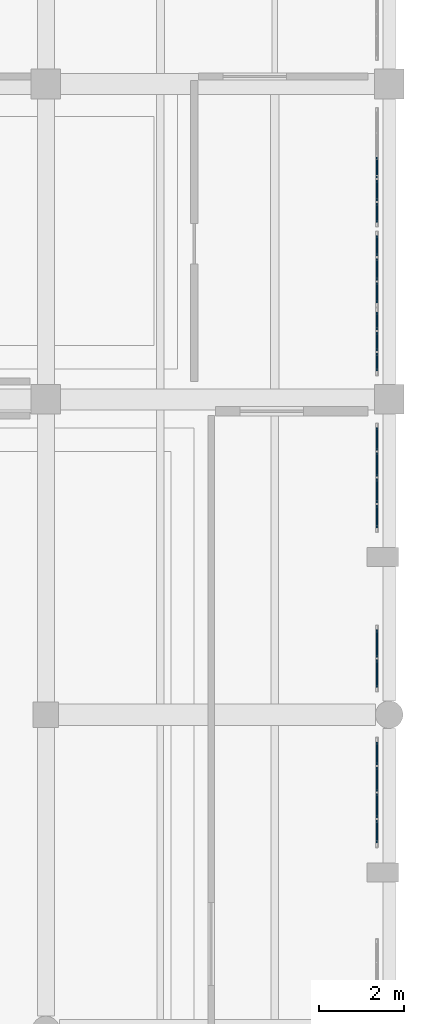
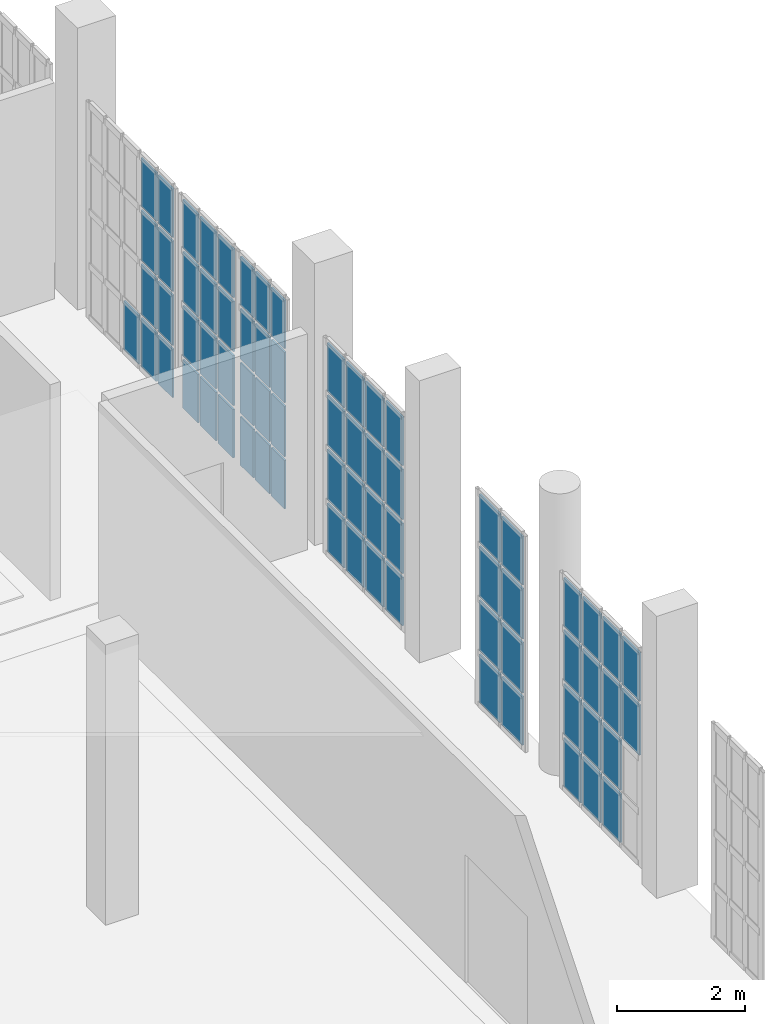
# One storey, part 343 of 372: 71 plates, 6 elements without a shape of their own.
"""IFC4 building model written with IfcOpenShell, lengths in metres."""

from ifc_helpers import new_model, si_unit, direction, frame, origin, origin_2d, place, context, subcontext, project, spatial, rectangle, extrude, material, layer, layer_set, type_object, element, aggregate, save


model = new_model("IFC4")

# Units and contexts
model_context = context("Model", 3, precision=1e-05, world=origin(), true_north=direction((0.0, 1.0)))
body_context = subcontext(model_context, "Body", "Model", "MODEL_VIEW")
ifc_project = project(units=[si_unit("LENGTHUNIT", "METRE"), si_unit("AREAUNIT", "SQUARE_METRE"), si_unit("VOLUMEUNIT", "CUBIC_METRE"), si_unit("PLANEANGLEUNIT", "RADIAN"), si_unit("MASSUNIT", "GRAM", prefix="KILO")], contexts=[model_context])

# Site, building, storey
site_placement = place(None, origin())
site = spatial("IfcSite", under=ifc_project, at=site_placement, CompositionType="ELEMENT")
building_placement = place(site_placement, origin())
building = spatial("IfcBuilding", under=site, at=building_placement, Name="Kaelora Sail Theatre", CompositionType="ELEMENT")
storey_placement = place(building_placement, origin())
storey = spatial("IfcBuildingStorey", under=building, at=storey_placement, Name="L00", CompositionType="ELEMENT", Elevation=0.0)

# Curtain wall, plates
ifc_material_1 = material(Name="Anodised aluminium and solar-control low-E IGU", Category="aluminium")
curtain_wall_type = type_object("IfcCurtainWallType", Name="ARC-CW-CW-FOY1", PredefinedType="NOTDEFINED", material=ifc_material_1)
curtain_wall_1_placement = place(storey_placement, origin())
curtain_wall_1 = element("IfcCurtainWall", 1, at=curtain_wall_1_placement, inside=storey, type_object=curtain_wall_type, Name="Glazed Colonnade/Courtyard Curtain Wall COLE-E-L00-06", PredefinedType="NOTDEFINED")
ifc_material_2 = material(Name="Solar-control laminated low-E glass", Category="glass")
ifc_layer = layer(ifc_material_2, 0.031982421875)
ifc_layer_set = layer_set([ifc_layer], Name="Solar-control laminated low-E glass")
plate_type = type_object("IfcPlateType", Name="ARC-CW-PNL", PredefinedType="CURTAIN_PANEL", material=ifc_layer_set)
plate_1_placement = place(storey_placement, frame((163.2099609375, 43.382568359375, 2.103515625), z_axis=(0.0, 0.0, 1.0), x_axis=(0.0, 1.0, 0.0)))
plate_1 = element("IfcPlate", 2, at=plate_1_placement, type_object=plate_type, Name="CW-FOY1 panel 1.3", PredefinedType="CURTAIN_PANEL", context=body_context, shape_type="SweptSolid", body=[
    extrude(rectangle(XDim=0.534912109375, YDim=0.031982421875, at=origin_2d()), origin(), (0.0, 0.0, 1.0), 0.964111328125),
])
plate_2_placement = place(storey_placement, frame((163.2099609375, 43.382568359375, 3.1376953125), z_axis=(0.0, 0.0, 1.0), x_axis=(0.0, 1.0, 0.0)))
plate_2 = element("IfcPlate", 3, at=plate_2_placement, type_object=plate_type, Name="CW-FOY1 panel 1.4", PredefinedType="CURTAIN_PANEL", context=body_context, shape_type="SweptSolid", body=[
    extrude(rectangle(XDim=0.534912109375, YDim=0.031982421875, at=origin_2d()), origin(), (0.0, 0.0, 1.0), 0.92919921875),
])
plate_3_placement = place(storey_placement, frame((163.2099609375, 43.992431640625, 0.070068359375), z_axis=(0.0, 0.0, 1.0), x_axis=(0.0, 1.0, 0.0)))
plate_3 = element("IfcPlate", 4, at=plate_3_placement, type_object=plate_type, Name="CW-FOY1 panel 2.1", PredefinedType="CURTAIN_PANEL", context=body_context, shape_type="SweptSolid", body=[
    extrude(rectangle(XDim=0.56494140625, YDim=0.031982421875, at=origin_2d()), origin(), (0.0, 0.0, 1.0), 0.92919921875),
])
plate_4_placement = place(storey_placement, frame((163.2099609375, 43.992431640625, 1.069091796875), z_axis=(0.0, 0.0, 1.0), x_axis=(0.0, 1.0, 0.0)))
plate_4 = element("IfcPlate", 5, at=plate_4_placement, type_object=plate_type, Name="CW-FOY1 panel 2.2", PredefinedType="CURTAIN_PANEL", context=body_context, shape_type="SweptSolid", body=[
    extrude(rectangle(XDim=0.56494140625, YDim=0.031982421875, at=origin_2d()), origin(), (0.0, 0.0, 1.0), 0.96435546875),
])
plate_5_placement = place(storey_placement, frame((163.2099609375, 43.992431640625, 2.103515625), z_axis=(0.0, 0.0, 1.0), x_axis=(0.0, 1.0, 0.0)))
plate_5 = element("IfcPlate", 6, at=plate_5_placement, type_object=plate_type, Name="CW-FOY1 panel 2.3", PredefinedType="CURTAIN_PANEL", context=body_context, shape_type="SweptSolid", body=[
    extrude(rectangle(XDim=0.56494140625, YDim=0.031982421875, at=origin_2d()), origin(), (0.0, 0.0, 1.0), 0.964111328125),
])
plate_6_placement = place(storey_placement, frame((163.2099609375, 43.992431640625, 3.1376953125), z_axis=(0.0, 0.0, 1.0), x_axis=(0.0, 1.0, 0.0)))
plate_6 = element("IfcPlate", 7, at=plate_6_placement, type_object=plate_type, Name="CW-FOY1 panel 2.4", PredefinedType="CURTAIN_PANEL", context=body_context, shape_type="SweptSolid", body=[
    extrude(rectangle(XDim=0.56494140625, YDim=0.031982421875, at=origin_2d()), origin(), (0.0, 0.0, 1.0), 0.92919921875),
])
plate_7_placement = place(storey_placement, frame((163.2099609375, 44.617431640625, 0.070068359375), z_axis=(0.0, 0.0, 1.0), x_axis=(0.0, 1.0, 0.0)))
plate_7 = element("IfcPlate", 8, at=plate_7_placement, type_object=plate_type, Name="CW-FOY1 panel 3.1", PredefinedType="CURTAIN_PANEL", context=body_context, shape_type="SweptSolid", body=[
    extrude(rectangle(XDim=0.56494140625, YDim=0.031982421875, at=origin_2d()), origin(), (0.0, 0.0, 1.0), 0.92919921875),
])
plate_8_placement = place(storey_placement, frame((163.2099609375, 44.617431640625, 1.069091796875), z_axis=(0.0, 0.0, 1.0), x_axis=(0.0, 1.0, 0.0)))
plate_8 = element("IfcPlate", 9, at=plate_8_placement, type_object=plate_type, Name="CW-FOY1 panel 3.2", PredefinedType="CURTAIN_PANEL", context=body_context, shape_type="SweptSolid", body=[
    extrude(rectangle(XDim=0.56494140625, YDim=0.031982421875, at=origin_2d()), origin(), (0.0, 0.0, 1.0), 0.96435546875),
])
plate_9_placement = place(storey_placement, frame((163.2099609375, 44.617431640625, 2.103515625), z_axis=(0.0, 0.0, 1.0), x_axis=(0.0, 1.0, 0.0)))
plate_9 = element("IfcPlate", 10, at=plate_9_placement, type_object=plate_type, Name="CW-FOY1 panel 3.3", PredefinedType="CURTAIN_PANEL", context=body_context, shape_type="SweptSolid", body=[
    extrude(rectangle(XDim=0.56494140625, YDim=0.031982421875, at=origin_2d()), origin(), (0.0, 0.0, 1.0), 0.964111328125),
])
plate_10_placement = place(storey_placement, frame((163.2099609375, 44.617431640625, 3.1376953125), z_axis=(0.0, 0.0, 1.0), x_axis=(0.0, 1.0, 0.0)))
plate_10 = element("IfcPlate", 11, at=plate_10_placement, type_object=plate_type, Name="CW-FOY1 panel 3.4", PredefinedType="CURTAIN_PANEL", context=body_context, shape_type="SweptSolid", body=[
    extrude(rectangle(XDim=0.56494140625, YDim=0.031982421875, at=origin_2d()), origin(), (0.0, 0.0, 1.0), 0.92919921875),
])
plate_11_placement = place(storey_placement, frame((163.2099609375, 45.2275390625, 0.070068359375), z_axis=(0.0, 0.0, 1.0), x_axis=(0.0, 1.0, 0.0)))
plate_11 = element("IfcPlate", 12, at=plate_11_placement, type_object=plate_type, Name="CW-FOY1 panel 4.1", PredefinedType="CURTAIN_PANEL", context=body_context, shape_type="SweptSolid", body=[
    extrude(rectangle(XDim=0.534912109375, YDim=0.031982421875, at=origin_2d()), origin(), (0.0, 0.0, 1.0), 0.92919921875),
])
plate_12_placement = place(storey_placement, frame((163.2099609375, 45.2275390625, 1.069091796875), z_axis=(0.0, 0.0, 1.0), x_axis=(0.0, 1.0, 0.0)))
plate_12 = element("IfcPlate", 13, at=plate_12_placement, type_object=plate_type, Name="CW-FOY1 panel 4.2", PredefinedType="CURTAIN_PANEL", context=body_context, shape_type="SweptSolid", body=[
    extrude(rectangle(XDim=0.534912109375, YDim=0.031982421875, at=origin_2d()), origin(), (0.0, 0.0, 1.0), 0.96435546875),
])
plate_13_placement = place(storey_placement, frame((163.2099609375, 45.2275390625, 2.103515625), z_axis=(0.0, 0.0, 1.0), x_axis=(0.0, 1.0, 0.0)))
plate_13 = element("IfcPlate", 14, at=plate_13_placement, type_object=plate_type, Name="CW-FOY1 panel 4.3", PredefinedType="CURTAIN_PANEL", context=body_context, shape_type="SweptSolid", body=[
    extrude(rectangle(XDim=0.534912109375, YDim=0.031982421875, at=origin_2d()), origin(), (0.0, 0.0, 1.0), 0.964111328125),
])
plate_14_placement = place(storey_placement, frame((163.2099609375, 45.2275390625, 3.1376953125), z_axis=(0.0, 0.0, 1.0), x_axis=(0.0, 1.0, 0.0)))
plate_14 = element("IfcPlate", 15, at=plate_14_placement, type_object=plate_type, Name="CW-FOY1 panel 4.4", PredefinedType="CURTAIN_PANEL", context=body_context, shape_type="SweptSolid", body=[
    extrude(rectangle(XDim=0.534912109375, YDim=0.031982421875, at=origin_2d()), origin(), (0.0, 0.0, 1.0), 0.92919921875),
])
aggregate(curtain_wall_1, [plate_1, plate_2, plate_3, plate_4, plate_5, plate_6, plate_7, plate_8, plate_9, plate_10, plate_11, plate_12, plate_13, plate_14])

curtain_wall_2_placement = place(storey_placement, origin())
curtain_wall_2 = element("IfcCurtainWall", 16, at=curtain_wall_2_placement, inside=storey, type_object=curtain_wall_type, Name="Glazed Colonnade/Courtyard Curtain Wall COLE-E-L00-07", PredefinedType="NOTDEFINED")
plate_15_placement = place(storey_placement, frame((163.2099609375, 47.108642578125, 0.070068359375), z_axis=(0.0, 0.0, 1.0), x_axis=(0.0, 1.0, 0.0)))
plate_15 = element("IfcPlate", 17, at=plate_15_placement, type_object=plate_type, Name="CW-FOY1 panel 1.1", PredefinedType="CURTAIN_PANEL", context=body_context, shape_type="SweptSolid", body=[
    extrude(rectangle(XDim=0.6474609375, YDim=0.031982421875, at=origin_2d()), origin(), (0.0, 0.0, 1.0), 0.92919921875),
])
plate_16_placement = place(storey_placement, frame((163.2099609375, 47.108642578125, 1.069091796875), z_axis=(0.0, 0.0, 1.0), x_axis=(0.0, 1.0, 0.0)))
plate_16 = element("IfcPlate", 18, at=plate_16_placement, type_object=plate_type, Name="CW-FOY1 panel 1.2", PredefinedType="CURTAIN_PANEL", context=body_context, shape_type="SweptSolid", body=[
    extrude(rectangle(XDim=0.6474609375, YDim=0.031982421875, at=origin_2d()), origin(), (0.0, 0.0, 1.0), 0.96435546875),
])
plate_17_placement = place(storey_placement, frame((163.2099609375, 47.108642578125, 2.103515625), z_axis=(0.0, 0.0, 1.0), x_axis=(0.0, 1.0, 0.0)))
plate_17 = element("IfcPlate", 19, at=plate_17_placement, type_object=plate_type, Name="CW-FOY1 panel 1.3", PredefinedType="CURTAIN_PANEL", context=body_context, shape_type="SweptSolid", body=[
    extrude(rectangle(XDim=0.6474609375, YDim=0.031982421875, at=origin_2d()), origin(), (0.0, 0.0, 1.0), 0.964111328125),
])
plate_18_placement = place(storey_placement, frame((163.2099609375, 47.108642578125, 3.1376953125), z_axis=(0.0, 0.0, 1.0), x_axis=(0.0, 1.0, 0.0)))
plate_18 = element("IfcPlate", 20, at=plate_18_placement, type_object=plate_type, Name="CW-FOY1 panel 1.4", PredefinedType="CURTAIN_PANEL", context=body_context, shape_type="SweptSolid", body=[
    extrude(rectangle(XDim=0.6474609375, YDim=0.031982421875, at=origin_2d()), origin(), (0.0, 0.0, 1.0), 0.92919921875),
])
plate_19_placement = place(storey_placement, frame((163.2099609375, 47.816162109375, 0.070068359375), z_axis=(0.0, 0.0, 1.0), x_axis=(0.0, 1.0, 0.0)))
plate_19 = element("IfcPlate", 21, at=plate_19_placement, type_object=plate_type, Name="CW-FOY1 panel 2.1", PredefinedType="CURTAIN_PANEL", context=body_context, shape_type="SweptSolid", body=[
    extrude(rectangle(XDim=0.6474609375, YDim=0.031982421875, at=origin_2d()), origin(), (0.0, 0.0, 1.0), 0.92919921875),
])
plate_20_placement = place(storey_placement, frame((163.2099609375, 47.816162109375, 1.069091796875), z_axis=(0.0, 0.0, 1.0), x_axis=(0.0, 1.0, 0.0)))
plate_20 = element("IfcPlate", 22, at=plate_20_placement, type_object=plate_type, Name="CW-FOY1 panel 2.2", PredefinedType="CURTAIN_PANEL", context=body_context, shape_type="SweptSolid", body=[
    extrude(rectangle(XDim=0.6474609375, YDim=0.031982421875, at=origin_2d()), origin(), (0.0, 0.0, 1.0), 0.96435546875),
])
plate_21_placement = place(storey_placement, frame((163.2099609375, 47.816162109375, 2.103515625), z_axis=(0.0, 0.0, 1.0), x_axis=(0.0, 1.0, 0.0)))
plate_21 = element("IfcPlate", 23, at=plate_21_placement, type_object=plate_type, Name="CW-FOY1 panel 2.3", PredefinedType="CURTAIN_PANEL", context=body_context, shape_type="SweptSolid", body=[
    extrude(rectangle(XDim=0.6474609375, YDim=0.031982421875, at=origin_2d()), origin(), (0.0, 0.0, 1.0), 0.964111328125),
])
plate_22_placement = place(storey_placement, frame((163.2099609375, 47.816162109375, 3.1376953125), z_axis=(0.0, 0.0, 1.0), x_axis=(0.0, 1.0, 0.0)))
plate_22 = element("IfcPlate", 24, at=plate_22_placement, type_object=plate_type, Name="CW-FOY1 panel 2.4", PredefinedType="CURTAIN_PANEL", context=body_context, shape_type="SweptSolid", body=[
    extrude(rectangle(XDim=0.6474609375, YDim=0.031982421875, at=origin_2d()), origin(), (0.0, 0.0, 1.0), 0.92919921875),
])
aggregate(curtain_wall_2, [plate_15, plate_16, plate_17, plate_18, plate_19, plate_20, plate_21, plate_22])

curtain_wall_3_placement = place(storey_placement, origin())
curtain_wall_3 = element("IfcCurtainWall", 25, at=curtain_wall_3_placement, inside=storey, type_object=curtain_wall_type, Name="Glazed Colonnade/Courtyard Curtain Wall COLE-E-L00-09", PredefinedType="NOTDEFINED")
plate_23_placement = place(storey_placement, frame((163.2099609375, 50.8193359375, 0.070068359375), z_axis=(0.0, 0.0, 1.0), x_axis=(0.0, 1.0, 0.0)))
plate_23 = element("IfcPlate", 26, at=plate_23_placement, type_object=plate_type, Name="CW-FOY1 panel 1.1", PredefinedType="CURTAIN_PANEL", context=body_context, shape_type="SweptSolid", body=[
    extrude(rectangle(XDim=0.52880859375, YDim=0.031982421875, at=origin_2d()), origin(), (0.0, 0.0, 1.0), 0.92919921875),
])
plate_24_placement = place(storey_placement, frame((163.2099609375, 50.8193359375, 1.069091796875), z_axis=(0.0, 0.0, 1.0), x_axis=(0.0, 1.0, 0.0)))
plate_24 = element("IfcPlate", 27, at=plate_24_placement, type_object=plate_type, Name="CW-FOY1 panel 1.2", PredefinedType="CURTAIN_PANEL", context=body_context, shape_type="SweptSolid", body=[
    extrude(rectangle(XDim=0.52880859375, YDim=0.031982421875, at=origin_2d()), origin(), (0.0, 0.0, 1.0), 0.96435546875),
])
plate_25_placement = place(storey_placement, frame((163.2099609375, 50.8193359375, 2.103515625), z_axis=(0.0, 0.0, 1.0), x_axis=(0.0, 1.0, 0.0)))
plate_25 = element("IfcPlate", 28, at=plate_25_placement, type_object=plate_type, Name="CW-FOY1 panel 1.3", PredefinedType="CURTAIN_PANEL", context=body_context, shape_type="SweptSolid", body=[
    extrude(rectangle(XDim=0.52880859375, YDim=0.031982421875, at=origin_2d()), origin(), (0.0, 0.0, 1.0), 0.964111328125),
])
plate_26_placement = place(storey_placement, frame((163.2099609375, 50.8193359375, 3.1376953125), z_axis=(0.0, 0.0, 1.0), x_axis=(0.0, 1.0, 0.0)))
plate_26 = element("IfcPlate", 29, at=plate_26_placement, type_object=plate_type, Name="CW-FOY1 panel 1.4", PredefinedType="CURTAIN_PANEL", context=body_context, shape_type="SweptSolid", body=[
    extrude(rectangle(XDim=0.52880859375, YDim=0.031982421875, at=origin_2d()), origin(), (0.0, 0.0, 1.0), 0.92919921875),
])
plate_27_placement = place(storey_placement, frame((163.2099609375, 51.423095703125, 0.070068359375), z_axis=(0.0, 0.0, 1.0), x_axis=(0.0, 1.0, 0.0)))
plate_27 = element("IfcPlate", 30, at=plate_27_placement, type_object=plate_type, Name="CW-FOY1 panel 2.1", PredefinedType="CURTAIN_PANEL", context=body_context, shape_type="SweptSolid", body=[
    extrude(rectangle(XDim=0.558837890625, YDim=0.031982421875, at=origin_2d()), origin(), (0.0, 0.0, 1.0), 0.92919921875),
])
plate_28_placement = place(storey_placement, frame((163.2099609375, 51.423095703125, 1.069091796875), z_axis=(0.0, 0.0, 1.0), x_axis=(0.0, 1.0, 0.0)))
plate_28 = element("IfcPlate", 31, at=plate_28_placement, type_object=plate_type, Name="CW-FOY1 panel 2.2", PredefinedType="CURTAIN_PANEL", context=body_context, shape_type="SweptSolid", body=[
    extrude(rectangle(XDim=0.558837890625, YDim=0.031982421875, at=origin_2d()), origin(), (0.0, 0.0, 1.0), 0.96435546875),
])
plate_29_placement = place(storey_placement, frame((163.2099609375, 51.423095703125, 2.103515625), z_axis=(0.0, 0.0, 1.0), x_axis=(0.0, 1.0, 0.0)))
plate_29 = element("IfcPlate", 32, at=plate_29_placement, type_object=plate_type, Name="CW-FOY1 panel 2.3", PredefinedType="CURTAIN_PANEL", context=body_context, shape_type="SweptSolid", body=[
    extrude(rectangle(XDim=0.558837890625, YDim=0.031982421875, at=origin_2d()), origin(), (0.0, 0.0, 1.0), 0.964111328125),
])
plate_30_placement = place(storey_placement, frame((163.2099609375, 51.423095703125, 3.1376953125), z_axis=(0.0, 0.0, 1.0), x_axis=(0.0, 1.0, 0.0)))
plate_30 = element("IfcPlate", 33, at=plate_30_placement, type_object=plate_type, Name="CW-FOY1 panel 2.4", PredefinedType="CURTAIN_PANEL", context=body_context, shape_type="SweptSolid", body=[
    extrude(rectangle(XDim=0.558837890625, YDim=0.031982421875, at=origin_2d()), origin(), (0.0, 0.0, 1.0), 0.92919921875),
])
plate_31_placement = place(storey_placement, frame((163.2099609375, 52.0419921875, 0.070068359375), z_axis=(0.0, 0.0, 1.0), x_axis=(0.0, 1.0, 0.0)))
plate_31 = element("IfcPlate", 34, at=plate_31_placement, type_object=plate_type, Name="CW-FOY1 panel 3.1", PredefinedType="CURTAIN_PANEL", context=body_context, shape_type="SweptSolid", body=[
    extrude(rectangle(XDim=0.558837890625, YDim=0.031982421875, at=origin_2d()), origin(), (0.0, 0.0, 1.0), 0.92919921875),
])
plate_32_placement = place(storey_placement, frame((163.2099609375, 52.0419921875, 1.069091796875), z_axis=(0.0, 0.0, 1.0), x_axis=(0.0, 1.0, 0.0)))
plate_32 = element("IfcPlate", 35, at=plate_32_placement, type_object=plate_type, Name="CW-FOY1 panel 3.2", PredefinedType="CURTAIN_PANEL", context=body_context, shape_type="SweptSolid", body=[
    extrude(rectangle(XDim=0.558837890625, YDim=0.031982421875, at=origin_2d()), origin(), (0.0, 0.0, 1.0), 0.96435546875),
])
plate_33_placement = place(storey_placement, frame((163.2099609375, 52.0419921875, 2.103515625), z_axis=(0.0, 0.0, 1.0), x_axis=(0.0, 1.0, 0.0)))
plate_33 = element("IfcPlate", 36, at=plate_33_placement, type_object=plate_type, Name="CW-FOY1 panel 3.3", PredefinedType="CURTAIN_PANEL", context=body_context, shape_type="SweptSolid", body=[
    extrude(rectangle(XDim=0.558837890625, YDim=0.031982421875, at=origin_2d()), origin(), (0.0, 0.0, 1.0), 0.964111328125),
])
plate_34_placement = place(storey_placement, frame((163.2099609375, 52.0419921875, 3.1376953125), z_axis=(0.0, 0.0, 1.0), x_axis=(0.0, 1.0, 0.0)))
plate_34 = element("IfcPlate", 37, at=plate_34_placement, type_object=plate_type, Name="CW-FOY1 panel 3.4", PredefinedType="CURTAIN_PANEL", context=body_context, shape_type="SweptSolid", body=[
    extrude(rectangle(XDim=0.558837890625, YDim=0.031982421875, at=origin_2d()), origin(), (0.0, 0.0, 1.0), 0.92919921875),
])
plate_35_placement = place(storey_placement, frame((163.2099609375, 52.6455078125, 0.070068359375), z_axis=(0.0, 0.0, 1.0), x_axis=(0.0, 1.0, 0.0)))
plate_35 = element("IfcPlate", 38, at=plate_35_placement, type_object=plate_type, Name="CW-FOY1 panel 4.1", PredefinedType="CURTAIN_PANEL", context=body_context, shape_type="SweptSolid", body=[
    extrude(rectangle(XDim=0.52880859375, YDim=0.031982421875, at=origin_2d()), origin(), (0.0, 0.0, 1.0), 0.92919921875),
])
plate_36_placement = place(storey_placement, frame((163.2099609375, 52.6455078125, 1.069091796875), z_axis=(0.0, 0.0, 1.0), x_axis=(0.0, 1.0, 0.0)))
plate_36 = element("IfcPlate", 39, at=plate_36_placement, type_object=plate_type, Name="CW-FOY1 panel 4.2", PredefinedType="CURTAIN_PANEL", context=body_context, shape_type="SweptSolid", body=[
    extrude(rectangle(XDim=0.52880859375, YDim=0.031982421875, at=origin_2d()), origin(), (0.0, 0.0, 1.0), 0.96435546875),
])
plate_37_placement = place(storey_placement, frame((163.2099609375, 52.6455078125, 2.103515625), z_axis=(0.0, 0.0, 1.0), x_axis=(0.0, 1.0, 0.0)))
plate_37 = element("IfcPlate", 40, at=plate_37_placement, type_object=plate_type, Name="CW-FOY1 panel 4.3", PredefinedType="CURTAIN_PANEL", context=body_context, shape_type="SweptSolid", body=[
    extrude(rectangle(XDim=0.52880859375, YDim=0.031982421875, at=origin_2d()), origin(), (0.0, 0.0, 1.0), 0.964111328125),
])
plate_38_placement = place(storey_placement, frame((163.2099609375, 52.6455078125, 3.1376953125), z_axis=(0.0, 0.0, 1.0), x_axis=(0.0, 1.0, 0.0)))
plate_38 = element("IfcPlate", 41, at=plate_38_placement, type_object=plate_type, Name="CW-FOY1 panel 4.4", PredefinedType="CURTAIN_PANEL", context=body_context, shape_type="SweptSolid", body=[
    extrude(rectangle(XDim=0.52880859375, YDim=0.031982421875, at=origin_2d()), origin(), (0.0, 0.0, 1.0), 0.92919921875),
])
aggregate(curtain_wall_3, [plate_23, plate_24, plate_25, plate_26, plate_27, plate_28, plate_29, plate_30, plate_31, plate_32, plate_33, plate_34, plate_35, plate_36, plate_37, plate_38])

curtain_wall_4_placement = place(storey_placement, origin())
curtain_wall_4 = element("IfcCurtainWall", 42, at=curtain_wall_4_placement, inside=storey, type_object=curtain_wall_type, Name="Glazed Colonnade/Courtyard Curtain Wall COLE-E-L00-10", PredefinedType="NOTDEFINED")
plate_39_placement = place(storey_placement, frame((163.2099609375, 54.456787109375, 0.070068359375), z_axis=(0.0, 0.0, 1.0), x_axis=(0.0, 1.0, 0.0)))
plate_39 = element("IfcPlate", 43, at=plate_39_placement, type_object=plate_type, Name="CW-FOY1 panel 1.1", PredefinedType="CURTAIN_PANEL", context=body_context, shape_type="SweptSolid", body=[
    extrude(rectangle(XDim=0.413330078125, YDim=0.031982421875, at=origin_2d()), origin(), (0.0, 0.0, 1.0), 0.92919921875),
])
plate_40_placement = place(storey_placement, frame((163.2099609375, 54.456787109375, 1.069091796875), z_axis=(0.0, 0.0, 1.0), x_axis=(0.0, 1.0, 0.0)))
plate_40 = element("IfcPlate", 44, at=plate_40_placement, type_object=plate_type, Name="CW-FOY1 panel 1.2", PredefinedType="CURTAIN_PANEL", context=body_context, shape_type="SweptSolid", body=[
    extrude(rectangle(XDim=0.413330078125, YDim=0.031982421875, at=origin_2d()), origin(), (0.0, 0.0, 1.0), 0.96435546875),
])
plate_41_placement = place(storey_placement, frame((163.2099609375, 54.456787109375, 2.103515625), z_axis=(0.0, 0.0, 1.0), x_axis=(0.0, 1.0, 0.0)))
plate_41 = element("IfcPlate", 45, at=plate_41_placement, type_object=plate_type, Name="CW-FOY1 panel 1.3", PredefinedType="CURTAIN_PANEL", context=body_context, shape_type="SweptSolid", body=[
    extrude(rectangle(XDim=0.413330078125, YDim=0.031982421875, at=origin_2d()), origin(), (0.0, 0.0, 1.0), 0.964111328125),
])
plate_42_placement = place(storey_placement, frame((163.2099609375, 54.456787109375, 3.1376953125), z_axis=(0.0, 0.0, 1.0), x_axis=(0.0, 1.0, 0.0)))
plate_42 = element("IfcPlate", 46, at=plate_42_placement, type_object=plate_type, Name="CW-FOY1 panel 1.4", PredefinedType="CURTAIN_PANEL", context=body_context, shape_type="SweptSolid", body=[
    extrude(rectangle(XDim=0.413330078125, YDim=0.031982421875, at=origin_2d()), origin(), (0.0, 0.0, 1.0), 0.92919921875),
])
plate_43_placement = place(storey_placement, frame((163.2099609375, 54.945068359375, 0.070068359375), z_axis=(0.0, 0.0, 1.0), x_axis=(0.0, 1.0, 0.0)))
plate_43 = element("IfcPlate", 47, at=plate_43_placement, type_object=plate_type, Name="CW-FOY1 panel 2.1", PredefinedType="CURTAIN_PANEL", context=body_context, shape_type="SweptSolid", body=[
    extrude(rectangle(XDim=0.443359375, YDim=0.031982421875, at=origin_2d()), origin(), (0.0, 0.0, 1.0), 0.92919921875),
])
plate_44_placement = place(storey_placement, frame((163.2099609375, 54.945068359375, 1.069091796875), z_axis=(0.0, 0.0, 1.0), x_axis=(0.0, 1.0, 0.0)))
plate_44 = element("IfcPlate", 48, at=plate_44_placement, type_object=plate_type, Name="CW-FOY1 panel 2.2", PredefinedType="CURTAIN_PANEL", context=body_context, shape_type="SweptSolid", body=[
    extrude(rectangle(XDim=0.443359375, YDim=0.031982421875, at=origin_2d()), origin(), (0.0, 0.0, 1.0), 0.96435546875),
])
plate_45_placement = place(storey_placement, frame((163.2099609375, 54.945068359375, 2.103515625), z_axis=(0.0, 0.0, 1.0), x_axis=(0.0, 1.0, 0.0)))
plate_45 = element("IfcPlate", 49, at=plate_45_placement, type_object=plate_type, Name="CW-FOY1 panel 2.3", PredefinedType="CURTAIN_PANEL", context=body_context, shape_type="SweptSolid", body=[
    extrude(rectangle(XDim=0.443359375, YDim=0.031982421875, at=origin_2d()), origin(), (0.0, 0.0, 1.0), 0.964111328125),
])
plate_46_placement = place(storey_placement, frame((163.2099609375, 54.945068359375, 3.1376953125), z_axis=(0.0, 0.0, 1.0), x_axis=(0.0, 1.0, 0.0)))
plate_46 = element("IfcPlate", 50, at=plate_46_placement, type_object=plate_type, Name="CW-FOY1 panel 2.4", PredefinedType="CURTAIN_PANEL", context=body_context, shape_type="SweptSolid", body=[
    extrude(rectangle(XDim=0.443359375, YDim=0.031982421875, at=origin_2d()), origin(), (0.0, 0.0, 1.0), 0.92919921875),
])
plate_47_placement = place(storey_placement, frame((163.2099609375, 55.433349609375, 0.070068359375), z_axis=(0.0, 0.0, 1.0), x_axis=(0.0, 1.0, 0.0)))
plate_47 = element("IfcPlate", 51, at=plate_47_placement, type_object=plate_type, Name="CW-FOY1 panel 3.1", PredefinedType="CURTAIN_PANEL", context=body_context, shape_type="SweptSolid", body=[
    extrude(rectangle(XDim=0.413330078125, YDim=0.031982421875, at=origin_2d()), origin(), (0.0, 0.0, 1.0), 0.92919921875),
])
plate_48_placement = place(storey_placement, frame((163.2099609375, 55.433349609375, 1.069091796875), z_axis=(0.0, 0.0, 1.0), x_axis=(0.0, 1.0, 0.0)))
plate_48 = element("IfcPlate", 52, at=plate_48_placement, type_object=plate_type, Name="CW-FOY1 panel 3.2", PredefinedType="CURTAIN_PANEL", context=body_context, shape_type="SweptSolid", body=[
    extrude(rectangle(XDim=0.413330078125, YDim=0.031982421875, at=origin_2d()), origin(), (0.0, 0.0, 1.0), 0.96435546875),
])
plate_49_placement = place(storey_placement, frame((163.2099609375, 55.433349609375, 2.103515625), z_axis=(0.0, 0.0, 1.0), x_axis=(0.0, 1.0, 0.0)))
plate_49 = element("IfcPlate", 53, at=plate_49_placement, type_object=plate_type, Name="CW-FOY1 panel 3.3", PredefinedType="CURTAIN_PANEL", context=body_context, shape_type="SweptSolid", body=[
    extrude(rectangle(XDim=0.413330078125, YDim=0.031982421875, at=origin_2d()), origin(), (0.0, 0.0, 1.0), 0.964111328125),
])
plate_50_placement = place(storey_placement, frame((163.2099609375, 55.433349609375, 3.1376953125), z_axis=(0.0, 0.0, 1.0), x_axis=(0.0, 1.0, 0.0)))
plate_50 = element("IfcPlate", 54, at=plate_50_placement, type_object=plate_type, Name="CW-FOY1 panel 3.4", PredefinedType="CURTAIN_PANEL", context=body_context, shape_type="SweptSolid", body=[
    extrude(rectangle(XDim=0.413330078125, YDim=0.031982421875, at=origin_2d()), origin(), (0.0, 0.0, 1.0), 0.92919921875),
])
aggregate(curtain_wall_4, [plate_39, plate_40, plate_41, plate_42, plate_43, plate_44, plate_45, plate_46, plate_47, plate_48, plate_49, plate_50])

curtain_wall_5_placement = place(storey_placement, origin())
curtain_wall_5 = element("IfcCurtainWall", 55, at=curtain_wall_5_placement, inside=storey, type_object=curtain_wall_type, Name="Glazed Colonnade/Courtyard Curtain Wall COLE-E-L00-11", PredefinedType="NOTDEFINED")
plate_51_placement = place(storey_placement, frame((163.2099609375, 56.098388671875, 0.070068359375), z_axis=(0.0, 0.0, 1.0), x_axis=(0.0, 1.0, 0.0)))
plate_51 = element("IfcPlate", 56, at=plate_51_placement, type_object=plate_type, Name="CW-FOY1 panel 1.1", PredefinedType="CURTAIN_PANEL", context=body_context, shape_type="SweptSolid", body=[
    extrude(rectangle(XDim=0.4765625, YDim=0.031982421875, at=origin_2d()), origin(), (0.0, 0.0, 1.0), 0.92919921875),
])
plate_52_placement = place(storey_placement, frame((163.2099609375, 56.098388671875, 1.069091796875), z_axis=(0.0, 0.0, 1.0), x_axis=(0.0, 1.0, 0.0)))
plate_52 = element("IfcPlate", 57, at=plate_52_placement, type_object=plate_type, Name="CW-FOY1 panel 1.2", PredefinedType="CURTAIN_PANEL", context=body_context, shape_type="SweptSolid", body=[
    extrude(rectangle(XDim=0.4765625, YDim=0.031982421875, at=origin_2d()), origin(), (0.0, 0.0, 1.0), 0.96435546875),
])
plate_53_placement = place(storey_placement, frame((163.2099609375, 56.098388671875, 2.103515625), z_axis=(0.0, 0.0, 1.0), x_axis=(0.0, 1.0, 0.0)))
plate_53 = element("IfcPlate", 58, at=plate_53_placement, type_object=plate_type, Name="CW-FOY1 panel 1.3", PredefinedType="CURTAIN_PANEL", context=body_context, shape_type="SweptSolid", body=[
    extrude(rectangle(XDim=0.4765625, YDim=0.031982421875, at=origin_2d()), origin(), (0.0, 0.0, 1.0), 0.964111328125),
])
plate_54_placement = place(storey_placement, frame((163.2099609375, 56.098388671875, 3.1376953125), z_axis=(0.0, 0.0, 1.0), x_axis=(0.0, 1.0, 0.0)))
plate_54 = element("IfcPlate", 59, at=plate_54_placement, type_object=plate_type, Name="CW-FOY1 panel 1.4", PredefinedType="CURTAIN_PANEL", context=body_context, shape_type="SweptSolid", body=[
    extrude(rectangle(XDim=0.4765625, YDim=0.031982421875, at=origin_2d()), origin(), (0.0, 0.0, 1.0), 0.92919921875),
])
plate_55_placement = place(storey_placement, frame((163.2099609375, 56.64990234375, 0.070068359375), z_axis=(0.0, 0.0, 1.0), x_axis=(0.0, 1.0, 0.0)))
plate_55 = element("IfcPlate", 60, at=plate_55_placement, type_object=plate_type, Name="CW-FOY1 panel 2.1", PredefinedType="CURTAIN_PANEL", context=body_context, shape_type="SweptSolid", body=[
    extrude(rectangle(XDim=0.506591796875, YDim=0.031982421875, at=origin_2d()), origin(), (0.0, 0.0, 1.0), 0.92919921875),
])
plate_56_placement = place(storey_placement, frame((163.2099609375, 56.64990234375, 1.069091796875), z_axis=(0.0, 0.0, 1.0), x_axis=(0.0, 1.0, 0.0)))
plate_56 = element("IfcPlate", 61, at=plate_56_placement, type_object=plate_type, Name="CW-FOY1 panel 2.2", PredefinedType="CURTAIN_PANEL", context=body_context, shape_type="SweptSolid", body=[
    extrude(rectangle(XDim=0.506591796875, YDim=0.031982421875, at=origin_2d()), origin(), (0.0, 0.0, 1.0), 0.96435546875),
])
plate_57_placement = place(storey_placement, frame((163.2099609375, 56.64990234375, 2.103515625), z_axis=(0.0, 0.0, 1.0), x_axis=(0.0, 1.0, 0.0)))
plate_57 = element("IfcPlate", 62, at=plate_57_placement, type_object=plate_type, Name="CW-FOY1 panel 2.3", PredefinedType="CURTAIN_PANEL", context=body_context, shape_type="SweptSolid", body=[
    extrude(rectangle(XDim=0.506591796875, YDim=0.031982421875, at=origin_2d()), origin(), (0.0, 0.0, 1.0), 0.964111328125),
])
plate_58_placement = place(storey_placement, frame((163.2099609375, 56.64990234375, 3.1376953125), z_axis=(0.0, 0.0, 1.0), x_axis=(0.0, 1.0, 0.0)))
plate_58 = element("IfcPlate", 63, at=plate_58_placement, type_object=plate_type, Name="CW-FOY1 panel 2.4", PredefinedType="CURTAIN_PANEL", context=body_context, shape_type="SweptSolid", body=[
    extrude(rectangle(XDim=0.506591796875, YDim=0.031982421875, at=origin_2d()), origin(), (0.0, 0.0, 1.0), 0.92919921875),
])
plate_59_placement = place(storey_placement, frame((163.2099609375, 57.20166015625, 0.070068359375), z_axis=(0.0, 0.0, 1.0), x_axis=(0.0, 1.0, 0.0)))
plate_59 = element("IfcPlate", 64, at=plate_59_placement, type_object=plate_type, Name="CW-FOY1 panel 3.1", PredefinedType="CURTAIN_PANEL", context=body_context, shape_type="SweptSolid", body=[
    extrude(rectangle(XDim=0.4765625, YDim=0.031982421875, at=origin_2d()), origin(), (0.0, 0.0, 1.0), 0.92919921875),
])
plate_60_placement = place(storey_placement, frame((163.2099609375, 57.20166015625, 1.069091796875), z_axis=(0.0, 0.0, 1.0), x_axis=(0.0, 1.0, 0.0)))
plate_60 = element("IfcPlate", 65, at=plate_60_placement, type_object=plate_type, Name="CW-FOY1 panel 3.2", PredefinedType="CURTAIN_PANEL", context=body_context, shape_type="SweptSolid", body=[
    extrude(rectangle(XDim=0.4765625, YDim=0.031982421875, at=origin_2d()), origin(), (0.0, 0.0, 1.0), 0.96435546875),
])
plate_61_placement = place(storey_placement, frame((163.2099609375, 57.20166015625, 2.103515625), z_axis=(0.0, 0.0, 1.0), x_axis=(0.0, 1.0, 0.0)))
plate_61 = element("IfcPlate", 66, at=plate_61_placement, type_object=plate_type, Name="CW-FOY1 panel 3.3", PredefinedType="CURTAIN_PANEL", context=body_context, shape_type="SweptSolid", body=[
    extrude(rectangle(XDim=0.4765625, YDim=0.031982421875, at=origin_2d()), origin(), (0.0, 0.0, 1.0), 0.964111328125),
])
plate_62_placement = place(storey_placement, frame((163.2099609375, 57.20166015625, 3.1376953125), z_axis=(0.0, 0.0, 1.0), x_axis=(0.0, 1.0, 0.0)))
plate_62 = element("IfcPlate", 67, at=plate_62_placement, type_object=plate_type, Name="CW-FOY1 panel 3.4", PredefinedType="CURTAIN_PANEL", context=body_context, shape_type="SweptSolid", body=[
    extrude(rectangle(XDim=0.4765625, YDim=0.031982421875, at=origin_2d()), origin(), (0.0, 0.0, 1.0), 0.92919921875),
])
aggregate(curtain_wall_5, [plate_51, plate_52, plate_53, plate_54, plate_55, plate_56, plate_57, plate_58, plate_59, plate_60, plate_61, plate_62])

curtain_wall_6_placement = place(storey_placement, origin())
curtain_wall_6 = element("IfcCurtainWall", 68, at=curtain_wall_6_placement, inside=storey, type_object=curtain_wall_type, Name="Glazed Colonnade/Courtyard Curtain Wall COLE-E-L00-12", PredefinedType="NOTDEFINED")
plate_63_placement = place(storey_placement, frame((163.2099609375, 57.986083984375, 0.070068359375), z_axis=(0.0, 0.0, 1.0), x_axis=(0.0, 1.0, 0.0)))
plate_63 = element("IfcPlate", 69, at=plate_63_placement, type_object=plate_type, Name="CW-FOY1 panel 1.1", PredefinedType="CURTAIN_PANEL", context=body_context, shape_type="SweptSolid", body=[
    extrude(rectangle(XDim=0.451904296875, YDim=0.031982421875, at=origin_2d()), origin(), (0.0, 0.0, 1.0), 0.92919921875),
])
plate_64_placement = place(storey_placement, frame((163.2099609375, 57.986083984375, 1.069091796875), z_axis=(0.0, 0.0, 1.0), x_axis=(0.0, 1.0, 0.0)))
plate_64 = element("IfcPlate", 70, at=plate_64_placement, type_object=plate_type, Name="CW-FOY1 panel 1.2", PredefinedType="CURTAIN_PANEL", context=body_context, shape_type="SweptSolid", body=[
    extrude(rectangle(XDim=0.451904296875, YDim=0.031982421875, at=origin_2d()), origin(), (0.0, 0.0, 1.0), 0.96435546875),
])
plate_65_placement = place(storey_placement, frame((163.2099609375, 57.986083984375, 2.103515625), z_axis=(0.0, 0.0, 1.0), x_axis=(0.0, 1.0, 0.0)))
plate_65 = element("IfcPlate", 71, at=plate_65_placement, type_object=plate_type, Name="CW-FOY1 panel 1.3", PredefinedType="CURTAIN_PANEL", context=body_context, shape_type="SweptSolid", body=[
    extrude(rectangle(XDim=0.451904296875, YDim=0.031982421875, at=origin_2d()), origin(), (0.0, 0.0, 1.0), 0.964111328125),
])
plate_66_placement = place(storey_placement, frame((163.2099609375, 57.986083984375, 3.1376953125), z_axis=(0.0, 0.0, 1.0), x_axis=(0.0, 1.0, 0.0)))
plate_66 = element("IfcPlate", 72, at=plate_66_placement, type_object=plate_type, Name="CW-FOY1 panel 1.4", PredefinedType="CURTAIN_PANEL", context=body_context, shape_type="SweptSolid", body=[
    extrude(rectangle(XDim=0.451904296875, YDim=0.031982421875, at=origin_2d()), origin(), (0.0, 0.0, 1.0), 0.92919921875),
])
plate_67_placement = place(storey_placement, frame((163.2099609375, 58.512939453125, 0.070068359375), z_axis=(0.0, 0.0, 1.0), x_axis=(0.0, 1.0, 0.0)))
plate_67 = element("IfcPlate", 73, at=plate_67_placement, type_object=plate_type, Name="CW-FOY1 panel 2.1", PredefinedType="CURTAIN_PANEL", context=body_context, shape_type="SweptSolid", body=[
    extrude(rectangle(XDim=0.48193359375, YDim=0.031982421875, at=origin_2d()), origin(), (0.0, 0.0, 1.0), 0.92919921875),
])
plate_68_placement = place(storey_placement, frame((163.2099609375, 58.512939453125, 1.069091796875), z_axis=(0.0, 0.0, 1.0), x_axis=(0.0, 1.0, 0.0)))
plate_68 = element("IfcPlate", 74, at=plate_68_placement, type_object=plate_type, Name="CW-FOY1 panel 2.2", PredefinedType="CURTAIN_PANEL", context=body_context, shape_type="SweptSolid", body=[
    extrude(rectangle(XDim=0.48193359375, YDim=0.031982421875, at=origin_2d()), origin(), (0.0, 0.0, 1.0), 0.96435546875),
])
plate_69_placement = place(storey_placement, frame((163.2099609375, 58.512939453125, 2.103515625), z_axis=(0.0, 0.0, 1.0), x_axis=(0.0, 1.0, 0.0)))
plate_69 = element("IfcPlate", 75, at=plate_69_placement, type_object=plate_type, Name="CW-FOY1 panel 2.3", PredefinedType="CURTAIN_PANEL", context=body_context, shape_type="SweptSolid", body=[
    extrude(rectangle(XDim=0.48193359375, YDim=0.031982421875, at=origin_2d()), origin(), (0.0, 0.0, 1.0), 0.964111328125),
])
plate_70_placement = place(storey_placement, frame((163.2099609375, 58.512939453125, 3.1376953125), z_axis=(0.0, 0.0, 1.0), x_axis=(0.0, 1.0, 0.0)))
plate_70 = element("IfcPlate", 76, at=plate_70_placement, type_object=plate_type, Name="CW-FOY1 panel 2.4", PredefinedType="CURTAIN_PANEL", context=body_context, shape_type="SweptSolid", body=[
    extrude(rectangle(XDim=0.48193359375, YDim=0.031982421875, at=origin_2d()), origin(), (0.0, 0.0, 1.0), 0.92919921875),
])
plate_71_placement = place(storey_placement, frame((163.2099609375, 59.054931640625, 0.070068359375), z_axis=(0.0, 0.0, 1.0), x_axis=(0.0, 1.0, 0.0)))
plate_71 = element("IfcPlate", 77, at=plate_71_placement, type_object=plate_type, Name="CW-FOY1 panel 3.1", PredefinedType="CURTAIN_PANEL", context=body_context, shape_type="SweptSolid", body=[
    extrude(rectangle(XDim=0.48193359375, YDim=0.031982421875, at=origin_2d()), origin(), (0.0, 0.0, 1.0), 0.92919921875),
])
aggregate(curtain_wall_6, [plate_63, plate_64, plate_65, plate_66, plate_67, plate_68, plate_69, plate_70, plate_71])

save(model, "model.ifc")
